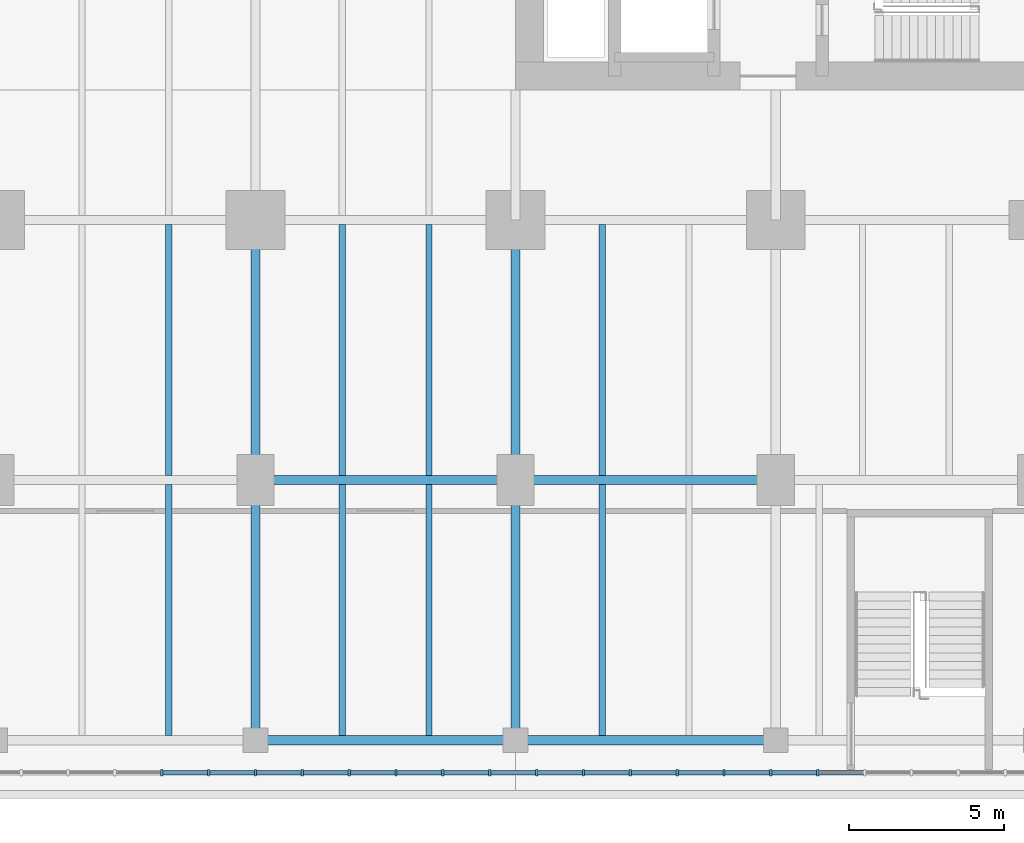
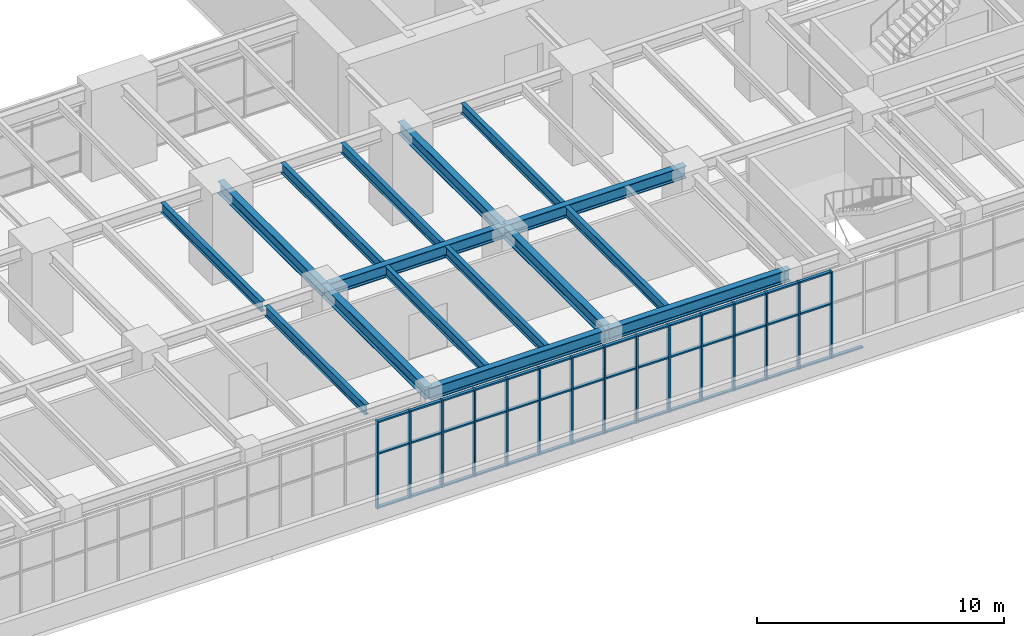
# One storey, part 5 of 30: 58 members, 16 beams, 1 element without a shape of its own.
"""IFC4 building model written with IfcOpenShell, lengths in metres."""

from ifc_helpers import new_model, si_unit, direction, frame, origin, origin_2d, place, context, subcontext, project, spatial, rectangle, i_section, extrude, material, material_profile, profile_set, type_object, element, aggregate, save


model = new_model("IFC4")

# Units and contexts
model_context = context("Model", 3, precision=1e-05, world=origin(), true_north=direction((0.0, 1.0)))
body_context = subcontext(model_context, "Body", "Model", "MODEL_VIEW")
ifc_project = project(units=[si_unit("LENGTHUNIT", "METRE"), si_unit("AREAUNIT", "SQUARE_METRE"), si_unit("VOLUMEUNIT", "CUBIC_METRE"), si_unit("PLANEANGLEUNIT", "RADIAN"), si_unit("MASSUNIT", "GRAM", prefix="KILO")], contexts=[model_context])

# Site, building, storey
site_placement = place(None, origin())
site = spatial("IfcSite", under=ifc_project, at=site_placement, CompositionType="ELEMENT")
building_placement = place(site_placement, origin())
building = spatial("IfcBuilding", under=site, at=building_placement, Name="Claustro Exchange Tower", CompositionType="ELEMENT")
storey_placement = place(building_placement, frame((0.0, 0.0, 5.39990234375)))
storey = spatial("IfcBuildingStorey", under=building, at=storey_placement, Name="L01", CompositionType="ELEMENT", Elevation=5.39990234375)

# Beams
ifc_material_1 = material(Name="Steel S355", Category="steel")
ifc_material_profile_1 = material_profile(ifc_material_1, i_section(OverallWidth=0.300048828125, OverallDepth=0.60009765625, WebThickness=0.015380859375, FlangeThickness=0.030029296875, FilletRadius=0.027099609375, at=origin_2d()), Name="HE 600 B")
ifc_profile_set_1 = profile_set([ifc_material_profile_1], Name="Steel S355")
beam_type_1 = type_object("IfcBeamType", Name="B1 HE 600 B floor girder", PredefinedType="BEAM", material=ifc_profile_set_1)
for number, where, z_axis, x_axis, name in (
    (1, (25.199951171875, -8.39990234375, 4.0), (0.0, 1.0, 0.0), (-1.0, 0.0, 0.0), "Beam B1 L02"),
    (2, (25.199951171875, 0.0, 4.0), (0.0, 1.0, 0.0), (-1.0, 0.0, 0.0), "Beam B1 L02"),
    (3, (33.60009765625, -8.39990234375, 4.0), (0.0, 1.0, 0.0), (-1.0, 0.0, 0.0), "Beam B1 L02"),
    (4, (33.60009765625, 0.0, 4.0), (0.0, 1.0, 0.0), (-1.0, 0.0, 0.0), "Beam B1 L02"),
):
    element("IfcBeam", number, at=place(storey_placement, frame(where, z_axis=z_axis, x_axis=x_axis)), inside=storey, type_object=beam_type_1, Name=name, PredefinedType="BEAM", context=body_context, shape_type="SweptSolid", body=[
        extrude(i_section(OverallWidth=0.300048828125, OverallDepth=0.60009765625, WebThickness=0.015380859375, FlangeThickness=0.030029296875, FilletRadius=0.027099609375, at=origin_2d()), origin(), (0.0, 0.0, 1.0), 8.39990234375),
    ])
beam_1_placement = place(storey_placement, frame((25.199951171875, -8.39990234375, 4.0), z_axis=(1.0, 0.0, 0.0), x_axis=(0.0, 1.0, 0.0)))
element("IfcBeam", 5, at=beam_1_placement, inside=storey, type_object=beam_type_1, Name="Beam B1 L02", PredefinedType="BEAM", context=body_context, shape_type="SweptSolid", body=[
    extrude(i_section(OverallWidth=0.300048828125, OverallDepth=0.60009765625, WebThickness=0.015380859375, FlangeThickness=0.030029296875, FilletRadius=0.027099609375, at=origin_2d()), origin(), (0.0, 0.0, 1.0), 8.400146484375),
])
beam_2_placement = place(storey_placement, frame((33.60009765625, -8.39990234375, 4.0), z_axis=(1.0, 0.0, 0.0), x_axis=(0.0, 1.0, 0.0)))
element("IfcBeam", 6, at=beam_2_placement, inside=storey, type_object=beam_type_1, Name="Beam B1 L02", PredefinedType="BEAM", context=body_context, shape_type="SweptSolid", body=[
    extrude(i_section(OverallWidth=0.300048828125, OverallDepth=0.60009765625, WebThickness=0.015380859375, FlangeThickness=0.030029296875, FilletRadius=0.027099609375, at=origin_2d()), origin(), (0.0, 0.0, 1.0), 8.39990234375),
])
beam_3_placement = place(storey_placement, frame((25.199951171875, 0.0, 4.0), z_axis=(1.0, 0.0, 0.0), x_axis=(0.0, 1.0, 0.0)))
element("IfcBeam", 7, at=beam_3_placement, inside=storey, type_object=beam_type_1, Name="Beam B1 L02", PredefinedType="BEAM", context=body_context, shape_type="SweptSolid", body=[
    extrude(i_section(OverallWidth=0.300048828125, OverallDepth=0.60009765625, WebThickness=0.015380859375, FlangeThickness=0.030029296875, FilletRadius=0.027099609375, at=origin_2d()), origin(), (0.0, 0.0, 1.0), 8.400146484375),
])
beam_4_placement = place(storey_placement, frame((33.60009765625, 0.0, 4.0), z_axis=(1.0, 0.0, 0.0), x_axis=(0.0, 1.0, 0.0)))
element("IfcBeam", 8, at=beam_4_placement, inside=storey, type_object=beam_type_1, Name="Beam B1 L02", PredefinedType="BEAM", context=body_context, shape_type="SweptSolid", body=[
    extrude(i_section(OverallWidth=0.300048828125, OverallDepth=0.60009765625, WebThickness=0.015380859375, FlangeThickness=0.030029296875, FilletRadius=0.027099609375, at=origin_2d()), origin(), (0.0, 0.0, 1.0), 8.39990234375),
])
ifc_material_2 = material(Name="Steel S355", Category="steel")
ifc_material_profile_2 = material_profile(ifc_material_2, i_section(OverallWidth=0.199951171875, OverallDepth=0.5, WebThickness=0.01025390625, FlangeThickness=0.01611328125, FilletRadius=0.02099609375, at=origin_2d()), Name="IPE 500")
ifc_profile_set_2 = profile_set([ifc_material_profile_2], Name="Steel S355")
beam_type_2 = type_object("IfcBeamType", Name="B2 IPE 500 secondary beam", PredefinedType="BEAM", material=ifc_profile_set_2)
for number, where, z_axis, x_axis, name in (
    (9, (22.39990234375, -8.25, 4.050048828125), (0.0, 1.0, 0.0), (-1.0, 0.0, 0.0), "Beam B2 L02"),
    (10, (22.39990234375, 0.14990234375, 4.050048828125), (0.0, 1.0, 0.0), (-1.0, 0.0, 0.0), "Beam B2 L02"),
    (11, (28.0, -8.25, 4.050048828125), (0.0, 1.0, 0.0), (-1.0, 0.0, 0.0), "Beam B2 L02"),
    (12, (30.800048828125, -8.25, 4.050048828125), (0.0, 1.0, 0.0), (-1.0, 0.0, 0.0), "Beam B2 L02"),
    (13, (28.0, 0.14990234375, 4.050048828125), (0.0, 1.0, 0.0), (-1.0, 0.0, 0.0), "Beam B2 L02"),
    (14, (30.800048828125, 0.14990234375, 4.050048828125), (0.0, 1.0, 0.0), (-1.0, 0.0, 0.0), "Beam B2 L02"),
    (15, (36.39990234375, -8.25, 4.050048828125), (0.0, 1.0, 0.0), (-1.0, 0.0, 0.0), "Beam B2 L02"),
    (16, (36.39990234375, 0.14990234375, 4.050048828125), (0.0, 1.0, 0.0), (-1.0, 0.0, 0.0), "Beam B2 L02"),
):
    element("IfcBeam", number, at=place(storey_placement, frame(where, z_axis=z_axis, x_axis=x_axis)), inside=storey, type_object=beam_type_2, Name=name, PredefinedType="BEAM", context=body_context, shape_type="SweptSolid", body=[
        extrude(i_section(OverallWidth=0.199951171875, OverallDepth=0.5, WebThickness=0.01025390625, FlangeThickness=0.01611328125, FilletRadius=0.02099609375, at=origin_2d()), origin(), (0.0, 0.0, 1.0), 8.10009765625),
    ])

# Curtain wall, members
ifc_material_3 = material(Name="Aluminium frame, clear double glazing", Category="aluminium")
curtain_wall_type = type_object("IfcCurtainWallType", Name="CW1 storefront curtain wall", PredefinedType="USERDEFINED", material=ifc_material_3)
curtain_wall_placement = place(storey_placement, origin())
curtain_wall = element("IfcCurtainWall", 17, at=curtain_wall_placement, inside=storey, type_object=curtain_wall_type, Name="Curtain wall CW1 L01", ObjectType="STICK CURTAIN WALL", PredefinedType="USERDEFINED")
ifc_material_4 = material(Name="Aluminium mullion", Category="aluminium")
ifc_material_profile_3 = material_profile(ifc_material_4, rectangle(XDim=0.199951171875, YDim=0.074951171875, at=origin_2d()), Name="CW1-M 75x200")
ifc_profile_set_3 = profile_set([ifc_material_profile_3], Name="Aluminium mullion")
member_type_1 = type_object("IfcMemberType", Name="CW1-M 75 x 200 mullion", PredefinedType="MULLION", material=ifc_profile_set_3)
member_1_placement = place(storey_placement, frame((22.174072265625, -9.449951171875, 0.0), z_axis=(0.0, 0.0, 1.0), x_axis=(0.0, 1.0, 0.0)))
member_1 = element("IfcMember", 18, at=member_1_placement, type_object=member_type_1, Name="CW1 mullion 21", PredefinedType="MULLION", context=body_context, shape_type="SweptSolid", body=[
    extrude(rectangle(XDim=0.199951171875, YDim=0.074951171875, at=origin_2d()), origin(), (0.0, 0.0, 1.0), 4.300048828125),
])
member_2_placement = place(storey_placement, frame((23.68701171875, -9.449951171875, 0.0), z_axis=(0.0, 0.0, 1.0), x_axis=(0.0, 1.0, 0.0)))
member_2 = element("IfcMember", 19, at=member_2_placement, type_object=member_type_1, Name="CW1 mullion 22", PredefinedType="MULLION", context=body_context, shape_type="SweptSolid", body=[
    extrude(rectangle(XDim=0.199951171875, YDim=0.074951171875, at=origin_2d()), origin(), (0.0, 0.0, 1.0), 4.300048828125),
])
member_3_placement = place(storey_placement, frame((25.199951171875, -9.449951171875, 0.0), z_axis=(0.0, 0.0, 1.0), x_axis=(0.0, 1.0, 0.0)))
member_3 = element("IfcMember", 20, at=member_3_placement, type_object=member_type_1, Name="CW1 mullion 23", PredefinedType="MULLION", context=body_context, shape_type="SweptSolid", body=[
    extrude(rectangle(XDim=0.199951171875, YDim=0.074951171875, at=origin_2d()), origin(), (0.0, 0.0, 1.0), 4.300048828125),
])
member_4_placement = place(storey_placement, frame((26.712890625, -9.449951171875, 0.0), z_axis=(0.0, 0.0, 1.0), x_axis=(0.0, 1.0, 0.0)))
member_4 = element("IfcMember", 21, at=member_4_placement, type_object=member_type_1, Name="CW1 mullion 24", PredefinedType="MULLION", context=body_context, shape_type="SweptSolid", body=[
    extrude(rectangle(XDim=0.199951171875, YDim=0.074951171875, at=origin_2d()), origin(), (0.0, 0.0, 1.0), 4.300048828125),
])
member_5_placement = place(storey_placement, frame((28.225830078125, -9.449951171875, 0.0), z_axis=(0.0, 0.0, 1.0), x_axis=(0.0, 1.0, 0.0)))
member_5 = element("IfcMember", 22, at=member_5_placement, type_object=member_type_1, Name="CW1 mullion 25", PredefinedType="MULLION", context=body_context, shape_type="SweptSolid", body=[
    extrude(rectangle(XDim=0.199951171875, YDim=0.074951171875, at=origin_2d()), origin(), (0.0, 0.0, 1.0), 4.300048828125),
])
member_6_placement = place(storey_placement, frame((29.73876953125, -9.449951171875, 0.0), z_axis=(0.0, 0.0, 1.0), x_axis=(0.0, 1.0, 0.0)))
member_6 = element("IfcMember", 23, at=member_6_placement, type_object=member_type_1, Name="CW1 mullion 26", PredefinedType="MULLION", context=body_context, shape_type="SweptSolid", body=[
    extrude(rectangle(XDim=0.199951171875, YDim=0.074951171875, at=origin_2d()), origin(), (0.0, 0.0, 1.0), 4.300048828125),
])
member_7_placement = place(storey_placement, frame((31.251953125, -9.449951171875, 0.0), z_axis=(0.0, 0.0, 1.0), x_axis=(0.0, 1.0, 0.0)))
member_7 = element("IfcMember", 24, at=member_7_placement, type_object=member_type_1, Name="CW1 mullion 27", PredefinedType="MULLION", context=body_context, shape_type="SweptSolid", body=[
    extrude(rectangle(XDim=0.199951171875, YDim=0.074951171875, at=origin_2d()), origin(), (0.0, 0.0, 1.0), 4.300048828125),
])
member_8_placement = place(storey_placement, frame((32.764892578125, -9.449951171875, 0.0), z_axis=(0.0, 0.0, 1.0), x_axis=(0.0, 1.0, 0.0)))
member_8 = element("IfcMember", 25, at=member_8_placement, type_object=member_type_1, Name="CW1 mullion 28", PredefinedType="MULLION", context=body_context, shape_type="SweptSolid", body=[
    extrude(rectangle(XDim=0.199951171875, YDim=0.074951171875, at=origin_2d()), origin(), (0.0, 0.0, 1.0), 4.300048828125),
])
member_9_placement = place(storey_placement, frame((34.27783203125, -9.449951171875, 0.0), z_axis=(0.0, 0.0, 1.0), x_axis=(0.0, 1.0, 0.0)))
member_9 = element("IfcMember", 26, at=member_9_placement, type_object=member_type_1, Name="CW1 mullion 29", PredefinedType="MULLION", context=body_context, shape_type="SweptSolid", body=[
    extrude(rectangle(XDim=0.199951171875, YDim=0.074951171875, at=origin_2d()), origin(), (0.0, 0.0, 1.0), 4.300048828125),
])
member_10_placement = place(storey_placement, frame((35.790771484375, -9.449951171875, 0.0), z_axis=(0.0, 0.0, 1.0), x_axis=(0.0, 1.0, 0.0)))
member_10 = element("IfcMember", 27, at=member_10_placement, type_object=member_type_1, Name="CW1 mullion 30", PredefinedType="MULLION", context=body_context, shape_type="SweptSolid", body=[
    extrude(rectangle(XDim=0.199951171875, YDim=0.074951171875, at=origin_2d()), origin(), (0.0, 0.0, 1.0), 4.300048828125),
])
member_11_placement = place(storey_placement, frame((37.3037109375, -9.449951171875, 0.0), z_axis=(0.0, 0.0, 1.0), x_axis=(0.0, 1.0, 0.0)))
member_11 = element("IfcMember", 28, at=member_11_placement, type_object=member_type_1, Name="CW1 mullion 31", PredefinedType="MULLION", context=body_context, shape_type="SweptSolid", body=[
    extrude(rectangle(XDim=0.199951171875, YDim=0.074951171875, at=origin_2d()), origin(), (0.0, 0.0, 1.0), 4.300048828125),
])
member_12_placement = place(storey_placement, frame((38.816650390625, -9.449951171875, 0.0), z_axis=(0.0, 0.0, 1.0), x_axis=(0.0, 1.0, 0.0)))
member_12 = element("IfcMember", 29, at=member_12_placement, type_object=member_type_1, Name="CW1 mullion 32", PredefinedType="MULLION", context=body_context, shape_type="SweptSolid", body=[
    extrude(rectangle(XDim=0.199951171875, YDim=0.074951171875, at=origin_2d()), origin(), (0.0, 0.0, 1.0), 4.300048828125),
])
member_13_placement = place(storey_placement, frame((40.32958984375, -9.449951171875, 0.0), z_axis=(0.0, 0.0, 1.0), x_axis=(0.0, 1.0, 0.0)))
member_13 = element("IfcMember", 30, at=member_13_placement, type_object=member_type_1, Name="CW1 mullion 33", PredefinedType="MULLION", context=body_context, shape_type="SweptSolid", body=[
    extrude(rectangle(XDim=0.199951171875, YDim=0.074951171875, at=origin_2d()), origin(), (0.0, 0.0, 1.0), 4.300048828125),
])
member_14_placement = place(storey_placement, frame((41.842529296875, -9.449951171875, 0.0), z_axis=(0.0, 0.0, 1.0), x_axis=(0.0, 1.0, 0.0)))
member_14 = element("IfcMember", 31, at=member_14_placement, type_object=member_type_1, Name="CW1 mullion 34", PredefinedType="MULLION", context=body_context, shape_type="SweptSolid", body=[
    extrude(rectangle(XDim=0.199951171875, YDim=0.074951171875, at=origin_2d()), origin(), (0.0, 0.0, 1.0), 4.300048828125),
])
member_15_placement = place(storey_placement, frame((43.35546875, -9.449951171875, 0.0), z_axis=(0.0, 0.0, 1.0), x_axis=(0.0, 1.0, 0.0)))
member_15 = element("IfcMember", 32, at=member_15_placement, type_object=member_type_1, Name="CW1 mullion 35", PredefinedType="MULLION", context=body_context, shape_type="SweptSolid", body=[
    extrude(rectangle(XDim=0.199951171875, YDim=0.074951171875, at=origin_2d()), origin(), (0.0, 0.0, 1.0), 4.300048828125),
])
ifc_material_5 = material(Name="Aluminium transom", Category="aluminium")
ifc_material_profile_4 = material_profile(ifc_material_5, rectangle(XDim=0.14990234375, YDim=0.074951171875, at=origin_2d()), Name="CW1-T 75x150")
ifc_profile_set_4 = profile_set([ifc_material_profile_4], Name="Aluminium transom")
member_type_2 = type_object("IfcMemberType", Name="CW1-T 75 x 150 transom", PredefinedType="USERDEFINED", material=ifc_profile_set_4)
member_16_placement = place(storey_placement, frame((22.211669921875, -9.449951171875, 0.03759765625), z_axis=(1.0, 0.0, 0.0), x_axis=(0.0, 1.0, 0.0)))
member_16 = element("IfcMember", 33, at=member_16_placement, type_object=member_type_2, Name="CW1 transom 21.1", ObjectType="TRANSOM", PredefinedType="USERDEFINED", context=body_context, shape_type="SweptSolid", body=[
    extrude(rectangle(XDim=0.14990234375, YDim=0.074951171875, at=origin_2d()), origin(), (0.0, 0.0, 1.0), 1.43798828125),
])
member_17_placement = place(storey_placement, frame((22.211669921875, -9.449951171875, 2.7001953125), z_axis=(1.0, 0.0, 0.0), x_axis=(0.0, 1.0, 0.0)))
member_17 = element("IfcMember", 34, at=member_17_placement, type_object=member_type_2, Name="CW1 transom 21.2", ObjectType="TRANSOM", PredefinedType="USERDEFINED", context=body_context, shape_type="SweptSolid", body=[
    extrude(rectangle(XDim=0.14990234375, YDim=0.074951171875, at=origin_2d()), origin(), (0.0, 0.0, 1.0), 1.43798828125),
])
member_18_placement = place(storey_placement, frame((22.211669921875, -9.449951171875, 4.2626953125), z_axis=(1.0, 0.0, 0.0), x_axis=(0.0, 1.0, 0.0)))
member_18 = element("IfcMember", 35, at=member_18_placement, type_object=member_type_2, Name="CW1 transom 21.3", ObjectType="TRANSOM", PredefinedType="USERDEFINED", context=body_context, shape_type="SweptSolid", body=[
    extrude(rectangle(XDim=0.14990234375, YDim=0.074951171875, at=origin_2d()), origin(), (0.0, 0.0, 1.0), 1.43798828125),
])
member_19_placement = place(storey_placement, frame((23.724609375, -9.449951171875, 0.03759765625), z_axis=(1.0, 0.0, 0.0), x_axis=(0.0, 1.0, 0.0)))
member_19 = element("IfcMember", 36, at=member_19_placement, type_object=member_type_2, Name="CW1 transom 22.1", ObjectType="TRANSOM", PredefinedType="USERDEFINED", context=body_context, shape_type="SweptSolid", body=[
    extrude(rectangle(XDim=0.14990234375, YDim=0.074951171875, at=origin_2d()), origin(), (0.0, 0.0, 1.0), 1.43798828125),
])
member_20_placement = place(storey_placement, frame((23.724609375, -9.449951171875, 2.7001953125), z_axis=(1.0, 0.0, 0.0), x_axis=(0.0, 1.0, 0.0)))
member_20 = element("IfcMember", 37, at=member_20_placement, type_object=member_type_2, Name="CW1 transom 22.2", ObjectType="TRANSOM", PredefinedType="USERDEFINED", context=body_context, shape_type="SweptSolid", body=[
    extrude(rectangle(XDim=0.14990234375, YDim=0.074951171875, at=origin_2d()), origin(), (0.0, 0.0, 1.0), 1.43798828125),
])
member_21_placement = place(storey_placement, frame((23.724609375, -9.449951171875, 4.2626953125), z_axis=(1.0, 0.0, 0.0), x_axis=(0.0, 1.0, 0.0)))
member_21 = element("IfcMember", 38, at=member_21_placement, type_object=member_type_2, Name="CW1 transom 22.3", ObjectType="TRANSOM", PredefinedType="USERDEFINED", context=body_context, shape_type="SweptSolid", body=[
    extrude(rectangle(XDim=0.14990234375, YDim=0.074951171875, at=origin_2d()), origin(), (0.0, 0.0, 1.0), 1.43798828125),
])
member_22_placement = place(storey_placement, frame((25.237548828125, -9.449951171875, 0.03759765625), z_axis=(1.0, 0.0, 0.0), x_axis=(0.0, 1.0, 0.0)))
member_22 = element("IfcMember", 39, at=member_22_placement, type_object=member_type_2, Name="CW1 transom 23.1", ObjectType="TRANSOM", PredefinedType="USERDEFINED", context=body_context, shape_type="SweptSolid", body=[
    extrude(rectangle(XDim=0.14990234375, YDim=0.074951171875, at=origin_2d()), origin(), (0.0, 0.0, 1.0), 1.43798828125),
])
member_23_placement = place(storey_placement, frame((25.237548828125, -9.449951171875, 2.7001953125), z_axis=(1.0, 0.0, 0.0), x_axis=(0.0, 1.0, 0.0)))
member_23 = element("IfcMember", 40, at=member_23_placement, type_object=member_type_2, Name="CW1 transom 23.2", ObjectType="TRANSOM", PredefinedType="USERDEFINED", context=body_context, shape_type="SweptSolid", body=[
    extrude(rectangle(XDim=0.14990234375, YDim=0.074951171875, at=origin_2d()), origin(), (0.0, 0.0, 1.0), 1.43798828125),
])
member_24_placement = place(storey_placement, frame((25.237548828125, -9.449951171875, 4.2626953125), z_axis=(1.0, 0.0, 0.0), x_axis=(0.0, 1.0, 0.0)))
member_24 = element("IfcMember", 41, at=member_24_placement, type_object=member_type_2, Name="CW1 transom 23.3", ObjectType="TRANSOM", PredefinedType="USERDEFINED", context=body_context, shape_type="SweptSolid", body=[
    extrude(rectangle(XDim=0.14990234375, YDim=0.074951171875, at=origin_2d()), origin(), (0.0, 0.0, 1.0), 1.43798828125),
])
member_25_placement = place(storey_placement, frame((26.75048828125, -9.449951171875, 0.03759765625), z_axis=(1.0, 0.0, 0.0), x_axis=(0.0, 1.0, 0.0)))
member_25 = element("IfcMember", 42, at=member_25_placement, type_object=member_type_2, Name="CW1 transom 24.1", ObjectType="TRANSOM", PredefinedType="USERDEFINED", context=body_context, shape_type="SweptSolid", body=[
    extrude(rectangle(XDim=0.14990234375, YDim=0.074951171875, at=origin_2d()), origin(), (0.0, 0.0, 1.0), 1.43798828125),
])
member_26_placement = place(storey_placement, frame((26.75048828125, -9.449951171875, 2.7001953125), z_axis=(1.0, 0.0, 0.0), x_axis=(0.0, 1.0, 0.0)))
member_26 = element("IfcMember", 43, at=member_26_placement, type_object=member_type_2, Name="CW1 transom 24.2", ObjectType="TRANSOM", PredefinedType="USERDEFINED", context=body_context, shape_type="SweptSolid", body=[
    extrude(rectangle(XDim=0.14990234375, YDim=0.074951171875, at=origin_2d()), origin(), (0.0, 0.0, 1.0), 1.43798828125),
])
member_27_placement = place(storey_placement, frame((26.75048828125, -9.449951171875, 4.2626953125), z_axis=(1.0, 0.0, 0.0), x_axis=(0.0, 1.0, 0.0)))
member_27 = element("IfcMember", 44, at=member_27_placement, type_object=member_type_2, Name="CW1 transom 24.3", ObjectType="TRANSOM", PredefinedType="USERDEFINED", context=body_context, shape_type="SweptSolid", body=[
    extrude(rectangle(XDim=0.14990234375, YDim=0.074951171875, at=origin_2d()), origin(), (0.0, 0.0, 1.0), 1.43798828125),
])
member_28_placement = place(storey_placement, frame((28.263427734375, -9.449951171875, 0.03759765625), z_axis=(1.0, 0.0, 0.0), x_axis=(0.0, 1.0, 0.0)))
member_28 = element("IfcMember", 45, at=member_28_placement, type_object=member_type_2, Name="CW1 transom 25.1", ObjectType="TRANSOM", PredefinedType="USERDEFINED", context=body_context, shape_type="SweptSolid", body=[
    extrude(rectangle(XDim=0.14990234375, YDim=0.074951171875, at=origin_2d()), origin(), (0.0, 0.0, 1.0), 1.43798828125),
])
member_29_placement = place(storey_placement, frame((28.263427734375, -9.449951171875, 2.7001953125), z_axis=(1.0, 0.0, 0.0), x_axis=(0.0, 1.0, 0.0)))
member_29 = element("IfcMember", 46, at=member_29_placement, type_object=member_type_2, Name="CW1 transom 25.2", ObjectType="TRANSOM", PredefinedType="USERDEFINED", context=body_context, shape_type="SweptSolid", body=[
    extrude(rectangle(XDim=0.14990234375, YDim=0.074951171875, at=origin_2d()), origin(), (0.0, 0.0, 1.0), 1.43798828125),
])
member_30_placement = place(storey_placement, frame((28.263427734375, -9.449951171875, 4.2626953125), z_axis=(1.0, 0.0, 0.0), x_axis=(0.0, 1.0, 0.0)))
member_30 = element("IfcMember", 47, at=member_30_placement, type_object=member_type_2, Name="CW1 transom 25.3", ObjectType="TRANSOM", PredefinedType="USERDEFINED", context=body_context, shape_type="SweptSolid", body=[
    extrude(rectangle(XDim=0.14990234375, YDim=0.074951171875, at=origin_2d()), origin(), (0.0, 0.0, 1.0), 1.43798828125),
])
member_31_placement = place(storey_placement, frame((29.7763671875, -9.449951171875, 0.03759765625), z_axis=(1.0, 0.0, 0.0), x_axis=(0.0, 1.0, 0.0)))
member_31 = element("IfcMember", 48, at=member_31_placement, type_object=member_type_2, Name="CW1 transom 26.1", ObjectType="TRANSOM", PredefinedType="USERDEFINED", context=body_context, shape_type="SweptSolid", body=[
    extrude(rectangle(XDim=0.14990234375, YDim=0.074951171875, at=origin_2d()), origin(), (0.0, 0.0, 1.0), 1.43798828125),
])
member_32_placement = place(storey_placement, frame((29.7763671875, -9.449951171875, 2.7001953125), z_axis=(1.0, 0.0, 0.0), x_axis=(0.0, 1.0, 0.0)))
member_32 = element("IfcMember", 49, at=member_32_placement, type_object=member_type_2, Name="CW1 transom 26.2", ObjectType="TRANSOM", PredefinedType="USERDEFINED", context=body_context, shape_type="SweptSolid", body=[
    extrude(rectangle(XDim=0.14990234375, YDim=0.074951171875, at=origin_2d()), origin(), (0.0, 0.0, 1.0), 1.43798828125),
])
member_33_placement = place(storey_placement, frame((29.7763671875, -9.449951171875, 4.2626953125), z_axis=(1.0, 0.0, 0.0), x_axis=(0.0, 1.0, 0.0)))
member_33 = element("IfcMember", 50, at=member_33_placement, type_object=member_type_2, Name="CW1 transom 26.3", ObjectType="TRANSOM", PredefinedType="USERDEFINED", context=body_context, shape_type="SweptSolid", body=[
    extrude(rectangle(XDim=0.14990234375, YDim=0.074951171875, at=origin_2d()), origin(), (0.0, 0.0, 1.0), 1.43798828125),
])
member_34_placement = place(storey_placement, frame((31.289306640625, -9.449951171875, 0.03759765625), z_axis=(1.0, 0.0, 0.0), x_axis=(0.0, 1.0, 0.0)))
member_34 = element("IfcMember", 51, at=member_34_placement, type_object=member_type_2, Name="CW1 transom 27.1", ObjectType="TRANSOM", PredefinedType="USERDEFINED", context=body_context, shape_type="SweptSolid", body=[
    extrude(rectangle(XDim=0.14990234375, YDim=0.074951171875, at=origin_2d()), origin(), (0.0, 0.0, 1.0), 1.43798828125),
])
member_35_placement = place(storey_placement, frame((31.289306640625, -9.449951171875, 2.7001953125), z_axis=(1.0, 0.0, 0.0), x_axis=(0.0, 1.0, 0.0)))
member_35 = element("IfcMember", 52, at=member_35_placement, type_object=member_type_2, Name="CW1 transom 27.2", ObjectType="TRANSOM", PredefinedType="USERDEFINED", context=body_context, shape_type="SweptSolid", body=[
    extrude(rectangle(XDim=0.14990234375, YDim=0.074951171875, at=origin_2d()), origin(), (0.0, 0.0, 1.0), 1.43798828125),
])
member_36_placement = place(storey_placement, frame((31.289306640625, -9.449951171875, 4.2626953125), z_axis=(1.0, 0.0, 0.0), x_axis=(0.0, 1.0, 0.0)))
member_36 = element("IfcMember", 53, at=member_36_placement, type_object=member_type_2, Name="CW1 transom 27.3", ObjectType="TRANSOM", PredefinedType="USERDEFINED", context=body_context, shape_type="SweptSolid", body=[
    extrude(rectangle(XDim=0.14990234375, YDim=0.074951171875, at=origin_2d()), origin(), (0.0, 0.0, 1.0), 1.43798828125),
])
member_37_placement = place(storey_placement, frame((32.80224609375, -9.449951171875, 0.03759765625), z_axis=(1.0, 0.0, 0.0), x_axis=(0.0, 1.0, 0.0)))
member_37 = element("IfcMember", 54, at=member_37_placement, type_object=member_type_2, Name="CW1 transom 28.1", ObjectType="TRANSOM", PredefinedType="USERDEFINED", context=body_context, shape_type="SweptSolid", body=[
    extrude(rectangle(XDim=0.14990234375, YDim=0.074951171875, at=origin_2d()), origin(), (0.0, 0.0, 1.0), 1.43798828125),
])
member_38_placement = place(storey_placement, frame((32.80224609375, -9.449951171875, 2.7001953125), z_axis=(1.0, 0.0, 0.0), x_axis=(0.0, 1.0, 0.0)))
member_38 = element("IfcMember", 55, at=member_38_placement, type_object=member_type_2, Name="CW1 transom 28.2", ObjectType="TRANSOM", PredefinedType="USERDEFINED", context=body_context, shape_type="SweptSolid", body=[
    extrude(rectangle(XDim=0.14990234375, YDim=0.074951171875, at=origin_2d()), origin(), (0.0, 0.0, 1.0), 1.43798828125),
])
member_39_placement = place(storey_placement, frame((32.80224609375, -9.449951171875, 4.2626953125), z_axis=(1.0, 0.0, 0.0), x_axis=(0.0, 1.0, 0.0)))
member_39 = element("IfcMember", 56, at=member_39_placement, type_object=member_type_2, Name="CW1 transom 28.3", ObjectType="TRANSOM", PredefinedType="USERDEFINED", context=body_context, shape_type="SweptSolid", body=[
    extrude(rectangle(XDim=0.14990234375, YDim=0.074951171875, at=origin_2d()), origin(), (0.0, 0.0, 1.0), 1.43798828125),
])
member_40_placement = place(storey_placement, frame((34.315185546875, -9.449951171875, 0.03759765625), z_axis=(1.0, 0.0, 0.0), x_axis=(0.0, 1.0, 0.0)))
member_40 = element("IfcMember", 57, at=member_40_placement, type_object=member_type_2, Name="CW1 transom 29.1", ObjectType="TRANSOM", PredefinedType="USERDEFINED", context=body_context, shape_type="SweptSolid", body=[
    extrude(rectangle(XDim=0.14990234375, YDim=0.074951171875, at=origin_2d()), origin(), (0.0, 0.0, 1.0), 1.43798828125),
])
member_41_placement = place(storey_placement, frame((34.315185546875, -9.449951171875, 2.7001953125), z_axis=(1.0, 0.0, 0.0), x_axis=(0.0, 1.0, 0.0)))
member_41 = element("IfcMember", 58, at=member_41_placement, type_object=member_type_2, Name="CW1 transom 29.2", ObjectType="TRANSOM", PredefinedType="USERDEFINED", context=body_context, shape_type="SweptSolid", body=[
    extrude(rectangle(XDim=0.14990234375, YDim=0.074951171875, at=origin_2d()), origin(), (0.0, 0.0, 1.0), 1.43798828125),
])
member_42_placement = place(storey_placement, frame((34.315185546875, -9.449951171875, 4.2626953125), z_axis=(1.0, 0.0, 0.0), x_axis=(0.0, 1.0, 0.0)))
member_42 = element("IfcMember", 59, at=member_42_placement, type_object=member_type_2, Name="CW1 transom 29.3", ObjectType="TRANSOM", PredefinedType="USERDEFINED", context=body_context, shape_type="SweptSolid", body=[
    extrude(rectangle(XDim=0.14990234375, YDim=0.074951171875, at=origin_2d()), origin(), (0.0, 0.0, 1.0), 1.43798828125),
])
member_43_placement = place(storey_placement, frame((35.828125, -9.449951171875, 0.03759765625), z_axis=(1.0, 0.0, 0.0), x_axis=(0.0, 1.0, 0.0)))
member_43 = element("IfcMember", 60, at=member_43_placement, type_object=member_type_2, Name="CW1 transom 30.1", ObjectType="TRANSOM", PredefinedType="USERDEFINED", context=body_context, shape_type="SweptSolid", body=[
    extrude(rectangle(XDim=0.14990234375, YDim=0.074951171875, at=origin_2d()), origin(), (0.0, 0.0, 1.0), 1.43798828125),
])
member_44_placement = place(storey_placement, frame((35.828125, -9.449951171875, 2.7001953125), z_axis=(1.0, 0.0, 0.0), x_axis=(0.0, 1.0, 0.0)))
member_44 = element("IfcMember", 61, at=member_44_placement, type_object=member_type_2, Name="CW1 transom 30.2", ObjectType="TRANSOM", PredefinedType="USERDEFINED", context=body_context, shape_type="SweptSolid", body=[
    extrude(rectangle(XDim=0.14990234375, YDim=0.074951171875, at=origin_2d()), origin(), (0.0, 0.0, 1.0), 1.43798828125),
])
member_45_placement = place(storey_placement, frame((35.828125, -9.449951171875, 4.2626953125), z_axis=(1.0, 0.0, 0.0), x_axis=(0.0, 1.0, 0.0)))
member_45 = element("IfcMember", 62, at=member_45_placement, type_object=member_type_2, Name="CW1 transom 30.3", ObjectType="TRANSOM", PredefinedType="USERDEFINED", context=body_context, shape_type="SweptSolid", body=[
    extrude(rectangle(XDim=0.14990234375, YDim=0.074951171875, at=origin_2d()), origin(), (0.0, 0.0, 1.0), 1.43798828125),
])
member_46_placement = place(storey_placement, frame((37.34130859375, -9.449951171875, 0.03759765625), z_axis=(1.0, 0.0, 0.0), x_axis=(0.0, 1.0, 0.0)))
member_46 = element("IfcMember", 63, at=member_46_placement, type_object=member_type_2, Name="CW1 transom 31.1", ObjectType="TRANSOM", PredefinedType="USERDEFINED", context=body_context, shape_type="SweptSolid", body=[
    extrude(rectangle(XDim=0.14990234375, YDim=0.074951171875, at=origin_2d()), origin(), (0.0, 0.0, 1.0), 1.437744140625),
])
member_47_placement = place(storey_placement, frame((37.34130859375, -9.449951171875, 2.7001953125), z_axis=(1.0, 0.0, 0.0), x_axis=(0.0, 1.0, 0.0)))
member_47 = element("IfcMember", 64, at=member_47_placement, type_object=member_type_2, Name="CW1 transom 31.2", ObjectType="TRANSOM", PredefinedType="USERDEFINED", context=body_context, shape_type="SweptSolid", body=[
    extrude(rectangle(XDim=0.14990234375, YDim=0.074951171875, at=origin_2d()), origin(), (0.0, 0.0, 1.0), 1.437744140625),
])
member_48_placement = place(storey_placement, frame((37.34130859375, -9.449951171875, 4.2626953125), z_axis=(1.0, 0.0, 0.0), x_axis=(0.0, 1.0, 0.0)))
member_48 = element("IfcMember", 65, at=member_48_placement, type_object=member_type_2, Name="CW1 transom 31.3", ObjectType="TRANSOM", PredefinedType="USERDEFINED", context=body_context, shape_type="SweptSolid", body=[
    extrude(rectangle(XDim=0.14990234375, YDim=0.074951171875, at=origin_2d()), origin(), (0.0, 0.0, 1.0), 1.437744140625),
])
member_49_placement = place(storey_placement, frame((38.854248046875, -9.449951171875, 0.03759765625), z_axis=(1.0, 0.0, 0.0), x_axis=(0.0, 1.0, 0.0)))
member_49 = element("IfcMember", 66, at=member_49_placement, type_object=member_type_2, Name="CW1 transom 32.1", ObjectType="TRANSOM", PredefinedType="USERDEFINED", context=body_context, shape_type="SweptSolid", body=[
    extrude(rectangle(XDim=0.14990234375, YDim=0.074951171875, at=origin_2d()), origin(), (0.0, 0.0, 1.0), 1.43798828125),
])
member_50_placement = place(storey_placement, frame((38.854248046875, -9.449951171875, 2.7001953125), z_axis=(1.0, 0.0, 0.0), x_axis=(0.0, 1.0, 0.0)))
member_50 = element("IfcMember", 67, at=member_50_placement, type_object=member_type_2, Name="CW1 transom 32.2", ObjectType="TRANSOM", PredefinedType="USERDEFINED", context=body_context, shape_type="SweptSolid", body=[
    extrude(rectangle(XDim=0.14990234375, YDim=0.074951171875, at=origin_2d()), origin(), (0.0, 0.0, 1.0), 1.43798828125),
])
member_51_placement = place(storey_placement, frame((38.854248046875, -9.449951171875, 4.2626953125), z_axis=(1.0, 0.0, 0.0), x_axis=(0.0, 1.0, 0.0)))
member_51 = element("IfcMember", 68, at=member_51_placement, type_object=member_type_2, Name="CW1 transom 32.3", ObjectType="TRANSOM", PredefinedType="USERDEFINED", context=body_context, shape_type="SweptSolid", body=[
    extrude(rectangle(XDim=0.14990234375, YDim=0.074951171875, at=origin_2d()), origin(), (0.0, 0.0, 1.0), 1.43798828125),
])
member_52_placement = place(storey_placement, frame((40.3671875, -9.449951171875, 0.03759765625), z_axis=(1.0, 0.0, 0.0), x_axis=(0.0, 1.0, 0.0)))
member_52 = element("IfcMember", 69, at=member_52_placement, type_object=member_type_2, Name="CW1 transom 33.1", ObjectType="TRANSOM", PredefinedType="USERDEFINED", context=body_context, shape_type="SweptSolid", body=[
    extrude(rectangle(XDim=0.14990234375, YDim=0.074951171875, at=origin_2d()), origin(), (0.0, 0.0, 1.0), 1.43798828125),
])
member_53_placement = place(storey_placement, frame((40.3671875, -9.449951171875, 2.7001953125), z_axis=(1.0, 0.0, 0.0), x_axis=(0.0, 1.0, 0.0)))
member_53 = element("IfcMember", 70, at=member_53_placement, type_object=member_type_2, Name="CW1 transom 33.2", ObjectType="TRANSOM", PredefinedType="USERDEFINED", context=body_context, shape_type="SweptSolid", body=[
    extrude(rectangle(XDim=0.14990234375, YDim=0.074951171875, at=origin_2d()), origin(), (0.0, 0.0, 1.0), 1.43798828125),
])
member_54_placement = place(storey_placement, frame((40.3671875, -9.449951171875, 4.2626953125), z_axis=(1.0, 0.0, 0.0), x_axis=(0.0, 1.0, 0.0)))
member_54 = element("IfcMember", 71, at=member_54_placement, type_object=member_type_2, Name="CW1 transom 33.3", ObjectType="TRANSOM", PredefinedType="USERDEFINED", context=body_context, shape_type="SweptSolid", body=[
    extrude(rectangle(XDim=0.14990234375, YDim=0.074951171875, at=origin_2d()), origin(), (0.0, 0.0, 1.0), 1.43798828125),
])
member_55_placement = place(storey_placement, frame((41.880126953125, -9.449951171875, 0.03759765625), z_axis=(1.0, 0.0, 0.0), x_axis=(0.0, 1.0, 0.0)))
member_55 = element("IfcMember", 72, at=member_55_placement, type_object=member_type_2, Name="CW1 transom 34.1", ObjectType="TRANSOM", PredefinedType="USERDEFINED", context=body_context, shape_type="SweptSolid", body=[
    extrude(rectangle(XDim=0.14990234375, YDim=0.074951171875, at=origin_2d()), origin(), (0.0, 0.0, 1.0), 1.43798828125),
])
member_56_placement = place(storey_placement, frame((41.880126953125, -9.449951171875, 2.7001953125), z_axis=(1.0, 0.0, 0.0), x_axis=(0.0, 1.0, 0.0)))
member_56 = element("IfcMember", 73, at=member_56_placement, type_object=member_type_2, Name="CW1 transom 34.2", ObjectType="TRANSOM", PredefinedType="USERDEFINED", context=body_context, shape_type="SweptSolid", body=[
    extrude(rectangle(XDim=0.14990234375, YDim=0.074951171875, at=origin_2d()), origin(), (0.0, 0.0, 1.0), 1.43798828125),
])
member_57_placement = place(storey_placement, frame((41.880126953125, -9.449951171875, 4.2626953125), z_axis=(1.0, 0.0, 0.0), x_axis=(0.0, 1.0, 0.0)))
member_57 = element("IfcMember", 74, at=member_57_placement, type_object=member_type_2, Name="CW1 transom 34.3", ObjectType="TRANSOM", PredefinedType="USERDEFINED", context=body_context, shape_type="SweptSolid", body=[
    extrude(rectangle(XDim=0.14990234375, YDim=0.074951171875, at=origin_2d()), origin(), (0.0, 0.0, 1.0), 1.43798828125),
])
member_58_placement = place(storey_placement, frame((43.39306640625, -9.449951171875, 0.03759765625), z_axis=(1.0, 0.0, 0.0), x_axis=(0.0, 1.0, 0.0)))
member_58 = element("IfcMember", 75, at=member_58_placement, type_object=member_type_2, Name="CW1 transom 35.1", ObjectType="TRANSOM", PredefinedType="USERDEFINED", context=body_context, shape_type="SweptSolid", body=[
    extrude(rectangle(XDim=0.14990234375, YDim=0.074951171875, at=origin_2d()), origin(), (0.0, 0.0, 1.0), 1.43798828125),
])
aggregate(curtain_wall, [member_1, member_2, member_3, member_4, member_5, member_6, member_7, member_8, member_9, member_10, member_11, member_12, member_13, member_14, member_15, member_16, member_17, member_18, member_19, member_20, member_21, member_22, member_23, member_24, member_25, member_26, member_27, member_28, member_29, member_30, member_31, member_32, member_33, member_34, member_35, member_36, member_37, member_38, member_39, member_40, member_41, member_42, member_43, member_44, member_45, member_46, member_47, member_48, member_49, member_50, member_51, member_52, member_53, member_54, member_55, member_56, member_57, member_58])

save(model, "model.ifc")
